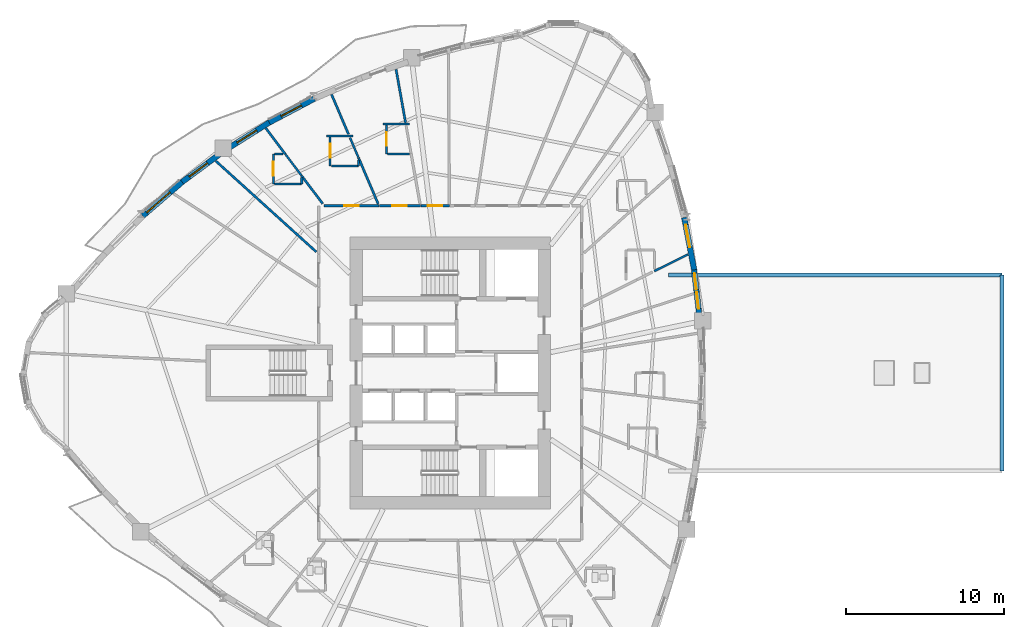
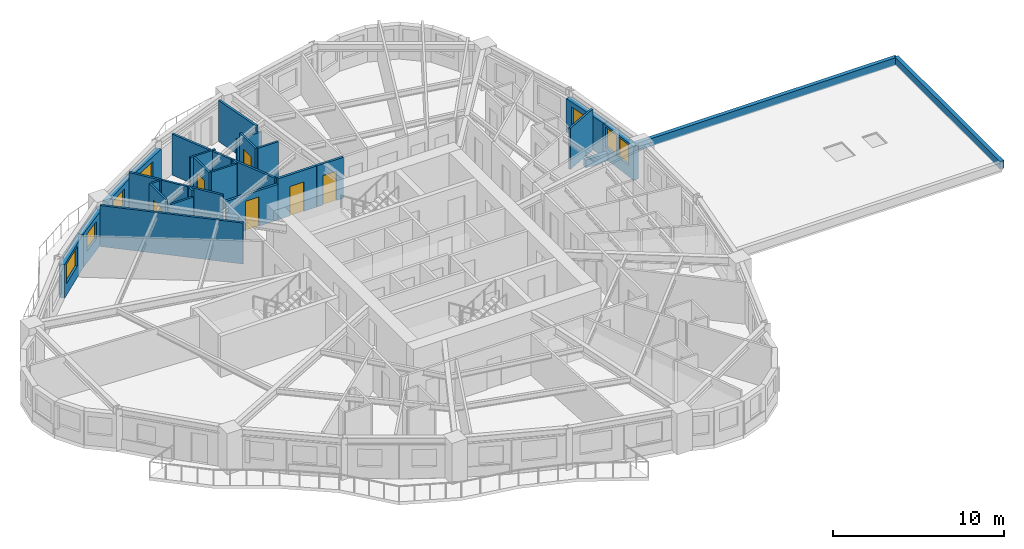
# One storey, part 8 of 15: 31 walls, 7 windows, 6 doors, 13 openings.
"""IFC4 building model written with IfcOpenShell, lengths in metres."""

from ifc_helpers import new_model, si_unit, direction, frame, frame_2d, origin, place, context, subcontext, project, spatial, rectangle, extrude, source, transform, mapped, material, layer, layer_set, type_object, element, fill, save


model = new_model("IFC4")

# Units and contexts
model_context = context("Model", 3, precision=1e-05, world=origin(), true_north=direction((0.0, 1.0)))
body_context = subcontext(model_context, "Body", "Model", "MODEL_VIEW")
ifc_project = project(units=[si_unit("LENGTHUNIT", "METRE"), si_unit("AREAUNIT", "SQUARE_METRE"), si_unit("VOLUMEUNIT", "CUBIC_METRE"), si_unit("PLANEANGLEUNIT", "RADIAN"), si_unit("MASSUNIT", "GRAM", prefix="KILO")], contexts=[model_context])

# Site, building, storey
site_placement = place(None, origin())
site = spatial("IfcSite", under=ifc_project, at=site_placement, CompositionType="ELEMENT")
building_placement = place(site_placement, origin())
building = spatial("IfcBuilding", under=site, at=building_placement, Name="Qafzar Sky-Pleat Residences", CompositionType="ELEMENT")
storey_placement = place(building_placement, frame((0.0, 0.0, 36.60009765625)))
storey = spatial("IfcBuildingStorey", under=building, at=storey_placement, Name="L10", CompositionType="ELEMENT", Elevation=36.60009765625)

# Wall, opening, door
ifc_material_1 = material(Name="Acoustic gypsum plasterboard partition", Category="gypsum")
ifc_layer_1 = layer(ifc_material_1, 0.159912109375)
ifc_layer_set_1 = layer_set([ifc_layer_1], Name="Acoustic gypsum plasterboard partition")
wall_type_1 = type_object("IfcWallType", Name="PART-COR-160", PredefinedType="PARTITIONING", material=ifc_layer_set_1)
wall_1_placement = place(storey_placement, frame((22.361083984375, 36.580078125, 0.0), z_axis=(0.0, 0.0, 1.0), x_axis=(1.0, 0.0, 0.0)))
wall_1 = element("IfcWall", 1, at=wall_1_placement, inside=storey, type_object=wall_type_1, Name="L10 Partition Wall PART-L10-PW-005", PredefinedType="PARTITIONING", context=body_context, shape_type="SweptSolid", body=[
    extrude(rectangle(XDim=3.497802734375, YDim=0.159912109375, at=frame_2d((1.7490234375, 0.0))), origin(), (0.0, 0.0, 1.0), 2.5478515625),
])
opening_1_placement = place(wall_1_placement, frame((1.29052734375, 0.0, 0.0)))
opening_1 = element("IfcOpeningElement", 2, at=opening_1_placement, cuts=wall_1, Name="Opening ID-04", PredefinedType="OPENING", context=body_context, shape_type="SweptSolid", body=[
    extrude(rectangle(XDim=0.919921875, YDim=2.10009765625, at=frame_2d((0.4599609375, 1.050048828125))), frame((0.0, 0.08984375, 0.0), z_axis=(0.0, -1.0, 0.0), x_axis=(1.0, 0.0, 0.0)), (0.0, 0.0, 1.0), 0.179931640625),
])
ifc_material_2 = material(Name="Timber-faced fire door", Category="wood")
door_type_1 = type_object("IfcDoorType", Name="DR-BED-920", OperationType="NOTDEFINED", PredefinedType="DOOR", material=ifc_material_2)
shared_shape_1 = source(origin(), body_context, "Body", "SweptSolid", [
    extrude(rectangle(XDim=0.919921875, YDim=2.10009765625, at=frame_2d((0.4599609375, 1.050048828125))), frame((0.0, 0.02490234375, 0.0), z_axis=(0.0, -1.0, 0.0), x_axis=(1.0, 0.0, 0.0)), (0.0, 0.0, 1.0), 0.050048828125),
])
door_1_placement = place(opening_1_placement, origin())
door_1 = element("IfcDoor", 3, at=door_1_placement, inside=storey, type_object=door_type_1, Name="L10 Co-Living Bedroom 13 Door", OperationType="SINGLE_SWING_LEFT", OverallHeight=2.10009765625, OverallWidth=0.919921875, PredefinedType="DOOR", context=body_context, shape_type="MappedRepresentation", body=[
    mapped(shared_shape_1, transform((0.0, 0.0, 0.0), x_axis=(1.0, 0.0, 0.0), y_axis=(0.0, 1.0, 0.0), z_axis=(0.0, 0.0, 1.0), scale=1.0)),
])
fill(opening_1, door_1)

wall_2_placement = place(storey_placement, frame((25.8740234375, 36.580078125, 0.0), z_axis=(0.0, 0.0, 1.0), x_axis=(1.0, 0.0, 0.0)))
wall_2 = element("IfcWall", 4, at=wall_2_placement, inside=storey, type_object=wall_type_1, Name="L10 Partition Wall PART-L10-PW-015", PredefinedType="PARTITIONING", context=body_context, shape_type="SweptSolid", body=[
    extrude(rectangle(XDim=2.60400390625, YDim=0.159912109375, at=frame_2d((1.302001953125, 0.0))), origin(), (0.0, 0.0, 1.0), 2.93994140625),
])
opening_2_placement = place(wall_2_placement, frame((0.819091796875, 0.0, 0.0)))
opening_2 = element("IfcOpeningElement", 5, at=opening_2_placement, cuts=wall_2, Name="Opening ID-04", PredefinedType="OPENING", context=body_context, shape_type="SweptSolid", body=[
    extrude(rectangle(XDim=0.919921875, YDim=2.10009765625, at=frame_2d((0.4599609375, 1.050048828125))), frame((0.0, 0.08984375, 0.0), z_axis=(0.0, -1.0, 0.0), x_axis=(1.0, 0.0, 0.0)), (0.0, 0.0, 1.0), 0.179931640625),
])
door_2_placement = place(opening_2_placement, origin())
door_2 = element("IfcDoor", 6, at=door_2_placement, inside=storey, type_object=door_type_1, Name="L10 Co-Living Bedroom 14 Door", OperationType="SINGLE_SWING_LEFT", OverallHeight=2.10009765625, OverallWidth=0.919921875, PredefinedType="DOOR", context=body_context, shape_type="MappedRepresentation", body=[
    mapped(shared_shape_1, transform((0.0, 0.0, 0.0), x_axis=(1.0, 0.0, 0.0), y_axis=(0.0, 1.0, 0.0), z_axis=(0.0, 0.0, 1.0), scale=1.0)),
])
fill(opening_2, door_2)

wall_3_placement = place(storey_placement, frame((28.492919921875, 36.580078125, 0.0), z_axis=(0.0, 0.0, 1.0), x_axis=(1.0, 0.0, 0.0)))
wall_3 = element("IfcWall", 7, at=wall_3_placement, inside=storey, type_object=wall_type_1, Name="L10 Partition Wall PART-L10-PW-030", PredefinedType="PARTITIONING", context=body_context, shape_type="SweptSolid", body=[
    extrude(rectangle(XDim=1.816162109375, YDim=0.159912109375, at=frame_2d((0.908203125, 0.0))), origin(), (0.0, 0.0, 1.0), 2.93994140625),
])
opening_3_placement = place(wall_3_placement, frame((0.425537109375, 0.0, 0.0)))
opening_3 = element("IfcOpeningElement", 8, at=opening_3_placement, cuts=wall_3, Name="Opening ID-04", PredefinedType="OPENING", context=body_context, shape_type="SweptSolid", body=[
    extrude(rectangle(XDim=0.919921875, YDim=2.10009765625, at=frame_2d((0.4599609375, 1.050048828125))), frame((0.0, 0.08984375, 0.0), z_axis=(0.0, -1.0, 0.0), x_axis=(1.0, 0.0, 0.0)), (0.0, 0.0, 1.0), 0.179931640625),
])
door_3_placement = place(opening_3_placement, origin())
door_3 = element("IfcDoor", 9, at=door_3_placement, inside=storey, type_object=door_type_1, Name="L10 Co-Living Bedroom 11 Door", OperationType="SINGLE_SWING_RIGHT", OverallHeight=2.10009765625, OverallWidth=0.919921875, PredefinedType="DOOR", context=body_context, shape_type="MappedRepresentation", body=[
    mapped(shared_shape_1, transform((0.0, 0.0, 0.0), x_axis=(1.0, 0.0, 0.0), y_axis=(0.0, 1.0, 0.0), z_axis=(0.0, 0.0, 1.0), scale=1.0)),
])
fill(opening_3, door_3)

# Walls
ifc_layer_2 = layer(ifc_material_1, 0.14501953125)
ifc_layer_set_2 = layer_set([ifc_layer_2], Name="Acoustic gypsum plasterboard partition")
wall_type_2 = type_object("IfcWallType", Name="PART-UNIT-145", PredefinedType="PARTITIONING", material=ifc_layer_set_2)
wall_4_placement = place(storey_placement, frame((15.516357421875, 39.412841796875, 0.0), z_axis=(0.0, 0.0, 1.0), x_axis=(0.741796419009, -0.670625135784, 0.0)))
element("IfcWall", 10, at=wall_4_placement, inside=storey, type_object=wall_type_2, Name="L10 Partition Wall PART-L10-PW-043", PredefinedType="PARTITIONING", context=body_context, shape_type="SweptSolid", body=[
    extrude(rectangle(XDim=8.586181640625, YDim=0.14501953125, at=frame_2d((4.29296875, 0.0))), origin(), (0.0, 0.0, 1.0), 2.93994140625),
])
wall_5_placement = place(storey_placement, frame((26.923095703125, 45.212890625, 0.0), z_axis=(0.0, 0.0, 1.0), x_axis=(0.175687492323, -0.98444598889, 0.0)))
element("IfcWall", 11, at=wall_5_placement, inside=storey, type_object=wall_type_2, Name="L10 Partition Wall PART-L10-PW-055", PredefinedType="PARTITIONING", context=body_context, shape_type="SweptSolid", body=[
    extrude(rectangle(XDim=3.440673828125, YDim=0.14501953125, at=frame_2d((1.72021484375, 0.0))), origin(), (0.0, 0.0, 1.0), 2.93994140625),
])
wall_6_placement = place(storey_placement, frame((24.552001953125, 39.610107421875, 0.0), z_axis=(0.0, 0.0, 1.0), x_axis=(0.391974411108, -0.919976119819, 0.0)))
element("IfcWall", 12, at=wall_6_placement, inside=storey, type_object=wall_type_2, Name="L10 Partition Wall PART-L10-PW-059", PredefinedType="PARTITIONING", context=body_context, shape_type="SweptSolid", body=[
    extrude(rectangle(XDim=3.167724609375, YDim=0.14501953125, at=frame_2d((1.583984375, 0.0))), origin(), (0.0, 0.0, 1.0), 2.93994140625),
])
wall_7_placement = place(storey_placement, frame((22.84130859375, 43.6259765625, 0.0), z_axis=(0.0, 0.0, 1.0), x_axis=(0.392030625658, -0.919952166445, 0.0)))
element("IfcWall", 13, at=wall_7_placement, inside=storey, type_object=wall_type_2, Name="L10 Partition Wall PART-L10-PW-062", PredefinedType="PARTITIONING", context=body_context, shape_type="SweptSolid", body=[
    extrude(rectangle(XDim=2.7470703125, YDim=0.14501953125, at=frame_2d((1.37353515625, 0.0))), origin(), (0.0, 0.0, 1.0), 2.93994140625),
])
wall_8_placement = place(storey_placement, frame((20.94091796875, 38.489990234375, 0.0), z_axis=(0.0, 0.0, 1.0), x_axis=(0.601733790382, -0.798696716853, 0.0)))
element("IfcWall", 14, at=wall_8_placement, inside=storey, type_object=wall_type_2, Name="L10 Partition Wall PART-L10-PW-066", PredefinedType="PARTITIONING", context=body_context, shape_type="SweptSolid", body=[
    extrude(rectangle(XDim=2.228759765625, YDim=0.14501953125, at=frame_2d((1.1142578125, 0.0))), origin(), (0.0, 0.0, 1.0), 2.93994140625),
])
wall_9_placement = place(storey_placement, frame((18.681396484375, 41.48876953125, 0.0), z_axis=(0.0, 0.0, 1.0), x_axis=(0.601842551228, -0.79861476541, 0.0)))
element("IfcWall", 15, at=wall_9_placement, inside=storey, type_object=wall_type_2, Name="L10 Partition Wall PART-L10-PW-068", PredefinedType="PARTITIONING", context=body_context, shape_type="SweptSolid", body=[
    extrude(rectangle(XDim=2.0546875, YDim=0.14501953125, at=frame_2d((1.02734375, 0.0))), origin(), (0.0, 0.0, 1.0), 2.93994140625),
])

# Wall, opening, door
ifc_material_3 = material(Name="Moisture-resistant gypsum partition", Category="gypsum")
ifc_layer_3 = layer(ifc_material_3, 0.1298828125)
ifc_layer_set_3 = layer_set([ifc_layer_3], Name="Moisture-resistant gypsum partition")
wall_type_3 = type_object("IfcWallType", Name="PART-WET-130", PredefinedType="PARTITIONING", material=ifc_layer_set_3)
wall_10_placement = place(storey_placement, frame((26.324951171875, 41.681884765625, 0.0), z_axis=(0.0, 0.0, 1.0), x_axis=(0.0, -1.0, 0.0)))
wall_10 = element("IfcWall", 16, at=wall_10_placement, inside=storey, type_object=wall_type_3, Name="L10 Partition Wall PART-L10-PW-019", PredefinedType="PARTITIONING", context=body_context, shape_type="SweptSolid", body=[
    extrude(rectangle(XDim=1.826904296875, YDim=0.1298828125, at=frame_2d((0.91357421875, 0.0))), origin(), (0.0, 0.0, 1.0), 2.93994140625),
])
opening_4_placement = place(wall_10_placement, frame((0.43701171875, 0.0, 0.0)))
opening_4 = element("IfcOpeningElement", 17, at=opening_4_placement, cuts=wall_10, Name="Opening ID-07", PredefinedType="OPENING", context=body_context, shape_type="SweptSolid", body=[
    extrude(rectangle(XDim=0.8798828125, YDim=2.050048828125, at=frame_2d((0.43994140625, 1.02490234375))), frame((0.0, 0.074951171875, 0.0), z_axis=(0.0, -1.0, 0.0), x_axis=(1.0, 0.0, 0.0)), (0.0, 0.0, 1.0), 0.14990234375),
])
door_type_2 = type_object("IfcDoorType", Name="DR-WET-880", OperationType="NOTDEFINED", PredefinedType="DOOR", material=ifc_material_2)
shared_shape_2 = source(origin(), body_context, "Body", "SweptSolid", [
    extrude(rectangle(XDim=0.8798828125, YDim=2.050048828125, at=frame_2d((0.43994140625, 1.02490234375))), frame((0.0, 0.02490234375, 0.0), z_axis=(0.0, -1.0, 0.0), x_axis=(1.0, 0.0, 0.0)), (0.0, 0.0, 1.0), 0.050048828125),
])
door_4_placement = place(opening_4_placement, origin())
door_4 = element("IfcDoor", 18, at=door_4_placement, inside=storey, type_object=door_type_2, Name="L10 En-suite Bathroom 14 Door", OperationType="SINGLE_SWING_LEFT", OverallHeight=2.050048828125, OverallWidth=0.8798828125, PredefinedType="DOOR", context=body_context, shape_type="MappedRepresentation", body=[
    mapped(shared_shape_2, transform((0.0, 0.0, 0.0), x_axis=(1.0, 0.0, 0.0), y_axis=(0.0, 1.0, 0.0), z_axis=(0.0, 0.0, 1.0), scale=1.0)),
])
fill(opening_4, door_4)

wall_11_placement = place(storey_placement, frame((22.751953125, 40.925048828125, 0.0), z_axis=(0.0, 0.0, 1.0), x_axis=(0.0, -1.0, 0.0)))
wall_11 = element("IfcWall", 19, at=wall_11_placement, inside=storey, type_object=wall_type_3, Name="L10 Partition Wall PART-L10-PW-026", PredefinedType="PARTITIONING", context=body_context, shape_type="SweptSolid", body=[
    extrude(rectangle(XDim=1.8271484375, YDim=0.1298828125, at=frame_2d((0.91357421875, 0.0))), origin(), (0.0, 0.0, 1.0), 2.93994140625),
])
opening_5_placement = place(wall_11_placement, frame((0.43701171875, 0.0, 0.0)))
opening_5 = element("IfcOpeningElement", 20, at=opening_5_placement, cuts=wall_11, Name="Opening ID-07", PredefinedType="OPENING", context=body_context, shape_type="SweptSolid", body=[
    extrude(rectangle(XDim=0.8798828125, YDim=2.050048828125, at=frame_2d((0.43994140625, 1.02490234375))), frame((0.0, 0.074951171875, 0.0), z_axis=(0.0, -1.0, 0.0), x_axis=(1.0, 0.0, 0.0)), (0.0, 0.0, 1.0), 0.14990234375),
])
door_5_placement = place(opening_5_placement, origin())
door_5 = element("IfcDoor", 21, at=door_5_placement, inside=storey, type_object=door_type_2, Name="L10 En-suite Bathroom 13 Door", OperationType="SINGLE_SWING_RIGHT", OverallHeight=2.050048828125, OverallWidth=0.8798828125, PredefinedType="DOOR", context=body_context, shape_type="MappedRepresentation", body=[
    mapped(shared_shape_2, transform((0.0, 0.0, 0.0), x_axis=(1.0, 0.0, 0.0), y_axis=(0.0, 1.0, 0.0), z_axis=(0.0, 0.0, 1.0), scale=1.0)),
])
fill(opening_5, door_5)

wall_12_placement = place(storey_placement, frame((19.156005859375, 39.863037109375, 0.0), z_axis=(0.0, 0.0, 1.0), x_axis=(0.0, -1.0, 0.0)))
wall_12 = element("IfcWall", 22, at=wall_12_placement, inside=storey, type_object=wall_type_3, Name="L10 Partition Wall PART-L10-PW-027", PredefinedType="PARTITIONING", context=body_context, shape_type="SweptSolid", body=[
    extrude(rectangle(XDim=1.900146484375, YDim=0.1298828125, at=frame_2d((0.9501953125, 0.0))), origin(), (0.0, 0.0, 1.0), 2.93994140625),
])
opening_6_placement = place(wall_12_placement, frame((0.510009765625, 0.0, 0.0)))
opening_6 = element("IfcOpeningElement", 23, at=opening_6_placement, cuts=wall_12, Name="Opening ID-07", PredefinedType="OPENING", context=body_context, shape_type="SweptSolid", body=[
    extrude(rectangle(XDim=0.8798828125, YDim=2.050048828125, at=frame_2d((0.43994140625, 1.02490234375))), frame((0.0, 0.074951171875, 0.0), z_axis=(0.0, -1.0, 0.0), x_axis=(1.0, 0.0, 0.0)), (0.0, 0.0, 1.0), 0.14990234375),
])
door_6_placement = place(opening_6_placement, origin())
door_6 = element("IfcDoor", 24, at=door_6_placement, inside=storey, type_object=door_type_2, Name="L10 En-suite Bathroom 16 Door", OperationType="SINGLE_SWING_LEFT", OverallHeight=2.050048828125, OverallWidth=0.8798828125, PredefinedType="DOOR", context=body_context, shape_type="MappedRepresentation", body=[
    mapped(shared_shape_2, transform((0.0, 0.0, 0.0), x_axis=(1.0, 0.0, 0.0), y_axis=(0.0, 1.0, 0.0), z_axis=(0.0, 0.0, 1.0), scale=1.0)),
])
fill(opening_6, door_6)

# Walls
wall_13_placement = place(storey_placement, frame((43.26708984375, 32.447998046875, 0.0), z_axis=(0.0, 0.0, 1.0), x_axis=(0.894755827923, 0.446555717014, 0.0)))
element("IfcWall", 25, at=wall_13_placement, inside=storey, type_object=wall_type_3, Name="L10 Partition Wall PART-L10-PW-064", PredefinedType="PARTITIONING", context=body_context, shape_type="SweptSolid", body=[
    extrude(rectangle(XDim=2.37548828125, YDim=0.1298828125, at=frame_2d((1.187744140625, 0.0))), origin(), (0.0, 0.0, 1.0), 2.93994140625),
])
wall_14_placement = place(storey_placement, frame((22.824951171875, 39.097900390625, 0.0), z_axis=(0.0, 0.0, 1.0), x_axis=(1.0, 0.0, 0.0)))
element("IfcWall", 26, at=wall_14_placement, inside=storey, type_object=wall_type_3, Name="L10 Partition Wall PART-L10-PW-079", PredefinedType="PARTITIONING", context=body_context, shape_type="SweptSolid", body=[
    extrude(rectangle(XDim=1.72705078125, YDim=0.1298828125, at=frame_2d((0.863525390625, 0.0))), origin(), (0.0, 0.0, 1.0), 2.93994140625),
])
wall_15_placement = place(storey_placement, frame((19.22900390625, 37.962890625, 0.0), z_axis=(0.0, 0.0, 1.0), x_axis=(1.0, 0.0, 0.0)))
element("IfcWall", 27, at=wall_15_placement, inside=storey, type_object=wall_type_3, Name="L10 Partition Wall PART-L10-PW-080", PredefinedType="PARTITIONING", context=body_context, shape_type="SweptSolid", body=[
    extrude(rectangle(XDim=1.72705078125, YDim=0.1298828125, at=frame_2d((0.863525390625, 0.0))), origin(), (0.0, 0.0, 1.0), 2.5078125),
])
wall_16_placement = place(storey_placement, frame((19.9267578125, 39.835693359375, 0.0), z_axis=(0.0, 0.0, 1.0), x_axis=(0.601846185739, -0.798612026401, 0.0)))
element("IfcWall", 28, at=wall_16_placement, inside=storey, type_object=wall_type_3, Name="L10 Partition Wall PART-L10-PW-084", PredefinedType="PARTITIONING", context=body_context, shape_type="SweptSolid", body=[
    extrude(rectangle(XDim=1.670166015625, YDim=0.1298828125, at=frame_2d((0.8349609375, 0.0))), origin(), (0.0, 0.0, 1.0), 2.93994140625),
])
wall_17_placement = place(storey_placement, frame((26.39794921875, 39.85498046875, 0.0), z_axis=(0.0, 0.0, 1.0), x_axis=(1.0, 0.0, 0.0)))
element("IfcWall", 29, at=wall_17_placement, inside=storey, type_object=wall_type_3, Name="L10 Partition Wall PART-L10-PW-088", PredefinedType="PARTITIONING", context=body_context, shape_type="SweptSolid", body=[
    extrude(rectangle(XDim=1.387939453125, YDim=0.1298828125, at=frame_2d((0.69384765625, 0.0))), origin(), (0.0, 0.0, 1.0), 2.93994140625),
])
wall_18_placement = place(storey_placement, frame((24.008544921875, 40.886474609375, 0.0), z_axis=(0.0, 0.0, 1.0), x_axis=(0.39172821254, -0.920080978773, 0.0)))
element("IfcWall", 30, at=wall_18_placement, inside=storey, type_object=wall_type_3, Name="L10 Partition Wall PART-L10-PW-089", PredefinedType="PARTITIONING", context=body_context, shape_type="SweptSolid", body=[
    extrude(rectangle(XDim=1.372314453125, YDim=0.1298828125, at=frame_2d((0.68603515625, 0.0))), origin(), (0.0, 0.0, 1.0), 2.93994140625),
])
wall_19_placement = place(storey_placement, frame((26.0849609375, 41.7548828125, 0.0), z_axis=(0.0, 0.0, 1.0), x_axis=(1.0, 0.0, 0.0)))
element("IfcWall", 31, at=wall_19_placement, inside=storey, type_object=wall_type_3, Name="L10 Partition Wall PART-L10-PW-095", PredefinedType="PARTITIONING", context=body_context, shape_type="SweptSolid", body=[
    extrude(rectangle(XDim=1.695068359375, YDim=0.1298828125, at=frame_2d((0.84765625, 0.0))), origin(), (0.0, 0.0, 1.0), 2.5078125),
])
wall_20_placement = place(storey_placement, frame((22.511962890625, 40.998046875, 0.0), z_axis=(0.0, 0.0, 1.0), x_axis=(1.0, 0.0, 0.0)))
element("IfcWall", 32, at=wall_20_placement, inside=storey, type_object=wall_type_3, Name="L10 Partition Wall PART-L10-PW-097", PredefinedType="PARTITIONING", context=body_context, shape_type="SweptSolid", body=[
    extrude(rectangle(XDim=1.68896484375, YDim=0.1298828125, at=frame_2d((0.844482421875, 0.0))), origin(), (0.0, 0.0, 1.0), 2.93994140625),
])
wall_21_placement = place(storey_placement, frame((19.22900390625, 39.863037109375, 0.0), z_axis=(0.0, 0.0, 1.0), x_axis=(1.0, 0.0, 0.0)))
element("IfcWall", 33, at=wall_21_placement, inside=storey, type_object=wall_type_3, Name="L10 Partition Wall PART-L10-PW-108", PredefinedType="PARTITIONING", context=body_context, shape_type="SweptSolid", body=[
    extrude(rectangle(XDim=0.5302734375, YDim=0.1298828125, at=frame_2d((0.26513671875, 0.0))), origin(), (0.0, 0.0, 1.0), 2.93994140625),
])
wall_22_placement = place(storey_placement, frame((24.552001953125, 39.097900390625, 0.0), z_axis=(0.0, 0.0, 1.0), x_axis=(0.0, 1.0, 0.0)))
element("IfcWall", 34, at=wall_22_placement, inside=storey, type_object=wall_type_3, Name="L10 Partition Wall PART-L10-PW-110", PredefinedType="PARTITIONING", context=body_context, shape_type="SweptSolid", body=[
    extrude(rectangle(XDim=0.377197265625, YDim=0.1298828125, at=frame_2d((0.1884765625, 0.0))), origin(), (0.0, 0.0, 1.0), 2.93994140625),
])
wall_23_placement = place(storey_placement, frame((20.9560546875, 37.962890625, 0.0), z_axis=(0.0, 0.0, 1.0), x_axis=(0.0, 1.0, 0.0)))
element("IfcWall", 35, at=wall_23_placement, inside=storey, type_object=wall_type_3, Name="L10 Partition Wall PART-L10-PW-111", PredefinedType="PARTITIONING", context=body_context, shape_type="SweptSolid", body=[
    extrude(rectangle(XDim=0.4169921875, YDim=0.1298828125, at=frame_2d((0.20849609375, 0.0))), origin(), (0.0, 0.0, 1.0), 2.93994140625),
])
ifc_material_4 = material(Name="Precast concrete C40/50 with honed Riyadh limestone", Category="concrete")
ifc_layer_4 = layer(ifc_material_4, 0.260009765625)
ifc_layer_set_4 = layer_set([ifc_layer_4], Name="Precast concrete C40/50 with honed Riyadh limestone")
wall_type_4 = type_object("IfcWallType", Name="WALL-EXT-260", PredefinedType="PARAPET", material=ifc_layer_set_4)
wall_24_placement = place(storey_placement, frame((65.25439453125, 19.800048828125, 0.0), z_axis=(0.0, 0.0, 1.0), x_axis=(0.0, 1.0, 0.0)))
element("IfcWall", 36, at=wall_24_placement, inside=storey, type_object=wall_type_4, Name="L10 SB-1 Roof Parapet 2", PredefinedType="PARAPET", context=body_context, shape_type="SweptSolid", body=[
    extrude(rectangle(XDim=12.39990234375, YDim=0.260009765625, at=frame_2d((6.199951171875, 0.0))), origin(), (0.0, 0.0, 1.0), 0.5498046875),
])
wall_25_placement = place(storey_placement, frame((65.25439453125, 32.199951171875, 0.0), z_axis=(0.0, 0.0, 1.0), x_axis=(-1.0, 0.0, 0.0)))
element("IfcWall", 37, at=wall_25_placement, inside=storey, type_object=wall_type_4, Name="L10 SB-1 Roof Parapet 3", PredefinedType="PARAPET", context=body_context, shape_type="SweptSolid", body=[
    extrude(rectangle(XDim=21.1044921875, YDim=0.260009765625, at=frame_2d((10.55224609375, 0.0))), origin(), (0.0, 0.0, 1.0), 0.5498046875),
])

# Wall, openings, windows
ifc_layer_5 = layer(ifc_material_4, 0.35009765625)
ifc_layer_set_5 = layer_set([ifc_layer_5], Name="Precast concrete C40/50 with honed Riyadh limestone")
wall_type_5 = type_object("IfcWallType", Name="WALL-EXT-350", PredefinedType="SOLIDWALL", material=ifc_layer_set_5)
wall_26_placement = place(storey_placement, frame((46.116455078125, 29.5751953125, 0.0), z_axis=(0.0, 0.0, 1.0), x_axis=(-0.113271733229, 0.993564046477, 0.0)))
wall_26 = element("IfcWall", 38, at=wall_26_placement, inside=storey, type_object=wall_type_5, Name="L10 Limestone Facade Wall 29", PredefinedType="SOLIDWALL", context=body_context, shape_type="SweptSolid", body=[
    extrude(rectangle(XDim=3.056396484375, YDim=0.35009765625, at=frame_2d((1.5283203125, 0.0))), origin(), (0.0, 0.0, 1.0), 2.419921875),
])
opening_7_placement = place(wall_26_placement, frame((0.492431640625, 0.0, 0.820068359375)))
opening_7 = element("IfcOpeningElement", 39, at=opening_7_placement, cuts=wall_26, Name="Opening WN-06", PredefinedType="OPENING", context=body_context, shape_type="SweptSolid", body=[
    extrude(rectangle(XDim=1.050048828125, YDim=1.449951171875, at=frame_2d((0.52490234375, 0.72509765625))), frame((0.0, 0.18505859375, 0.0), z_axis=(0.0, -1.0, 0.0), x_axis=(1.0, 0.0, 0.0)), (0.0, 0.0, 1.0), 0.3701171875),
])
opening_8_placement = place(wall_26_placement, frame((1.70556640625, 0.0, 0.820068359375)))
opening_8 = element("IfcOpeningElement", 40, at=opening_8_placement, cuts=wall_26, Name="Opening WN-06", PredefinedType="OPENING", context=body_context, shape_type="SweptSolid", body=[
    extrude(rectangle(XDim=1.050048828125, YDim=1.449951171875, at=frame_2d((0.52490234375, 0.72509765625))), frame((0.0, 0.18505859375, 0.0), z_axis=(0.0, -1.0, 0.0), x_axis=(1.0, 0.0, 0.0)), (0.0, 0.0, 1.0), 0.3701171875),
])
ifc_material_5 = material(Name="Solar-control low-E glass in bronze aluminium frame", Category="glass")
window_type_1 = type_object("IfcWindowType", Name="WIN-06", PartitioningType="SINGLE_PANEL", PredefinedType="WINDOW", material=ifc_material_5)
shared_shape_3 = source(origin(), body_context, "Body", "SweptSolid", [
    extrude(rectangle(XDim=1.050048828125, YDim=1.449951171875, at=frame_2d((0.52490234375, 0.72509765625))), frame((0.0, 0.030029296875, 0.0), z_axis=(0.0, -1.0, 0.0), x_axis=(1.0, 0.0, 0.0)), (0.0, 0.0, 1.0), 0.06005859375),
])
window_1_placement = place(opening_7_placement, origin())
window_1 = element("IfcWindow", 41, at=window_1_placement, inside=storey, type_object=window_type_1, Name="L10 Punched Facade Window 29", OverallHeight=1.449951171875, OverallWidth=1.050048828125, PartitioningType="SINGLE_PANEL", PredefinedType="WINDOW", context=body_context, shape_type="MappedRepresentation", body=[
    mapped(shared_shape_3, transform((0.0, 0.0, 0.0), x_axis=(1.0, 0.0, 0.0), y_axis=(0.0, 1.0, 0.0), z_axis=(0.0, 0.0, 1.0), scale=1.0)),
])
fill(opening_7, window_1)
window_2_placement = place(opening_8_placement, origin())
window_2 = element("IfcWindow", 42, at=window_2_placement, inside=storey, type_object=window_type_1, Name="L10 Punched Facade Window 29-2", OverallHeight=1.449951171875, OverallWidth=1.050048828125, PartitioningType="SINGLE_PANEL", PredefinedType="WINDOW", context=body_context, shape_type="MappedRepresentation", body=[
    mapped(shared_shape_3, transform((0.0, 0.0, 0.0), x_axis=(1.0, 0.0, 0.0), y_axis=(0.0, 1.0, 0.0), z_axis=(0.0, 0.0, 1.0), scale=1.0)),
])
fill(opening_8, window_2)

# Wall, opening, window
wall_27_placement = place(storey_placement, frame((45.78369140625, 32.52392578125, 0.0), z_axis=(0.0, 0.0, 1.0), x_axis=(-0.186686485801, 0.982419541754, 0.0)))
wall_27 = element("IfcWall", 43, at=wall_27_placement, inside=storey, type_object=wall_type_5, Name="L10 Limestone Facade Wall 30", PredefinedType="SOLIDWALL", context=body_context, shape_type="SweptSolid", body=[
    extrude(rectangle(XDim=3.3740234375, YDim=0.35009765625, at=frame_2d((1.68701171875, 0.0))), origin(), (0.0, 0.0, 1.0), 2.419921875),
])
opening_9_placement = place(wall_27_placement, frame((1.457275390625, 0.0, 0.820068359375)))
opening_9 = element("IfcOpeningElement", 44, at=opening_9_placement, cuts=wall_27, Name="Opening WN-15", PredefinedType="OPENING", context=body_context, shape_type="SweptSolid", body=[
    extrude(rectangle(XDim=1.449951171875, YDim=1.25, at=frame_2d((0.72509765625, 0.625))), frame((0.0, 0.18505859375, 0.0), z_axis=(0.0, -1.0, 0.0), x_axis=(1.0, 0.0, 0.0)), (0.0, 0.0, 1.0), 0.3701171875),
])
window_type_2 = type_object("IfcWindowType", Name="WIN-15", PartitioningType="SINGLE_PANEL", PredefinedType="WINDOW", material=ifc_material_5)
shared_shape_4 = source(origin(), body_context, "Body", "SweptSolid", [
    extrude(rectangle(XDim=1.449951171875, YDim=1.25, at=frame_2d((0.72509765625, 0.625))), frame((0.0, 0.030029296875, 0.0), z_axis=(0.0, -1.0, 0.0), x_axis=(1.0, 0.0, 0.0)), (0.0, 0.0, 1.0), 0.06005859375),
])
window_3_placement = place(opening_9_placement, origin())
window_3 = element("IfcWindow", 45, at=window_3_placement, inside=storey, type_object=window_type_2, Name="L10 Punched Facade Window 30-2", OverallHeight=1.25, OverallWidth=1.449951171875, PartitioningType="SINGLE_PANEL", PredefinedType="WINDOW", context=body_context, shape_type="MappedRepresentation", body=[
    mapped(shared_shape_4, transform((0.0, 0.0, 0.0), x_axis=(1.0, 0.0, 0.0), y_axis=(0.0, 1.0, 0.0), z_axis=(0.0, 0.0, 1.0), scale=1.0)),
])
fill(opening_9, window_3)

wall_28_placement = place(storey_placement, frame((21.757080078125, 43.353759765625, 0.0), z_axis=(0.0, 0.0, 1.0), x_axis=(-0.884394035355, -0.466741031224, 0.0)))
wall_28 = element("IfcWall", 46, at=wall_28_placement, inside=storey, type_object=wall_type_5, Name="L10 Limestone Facade Wall 43", PredefinedType="SOLIDWALL", context=body_context, shape_type="SweptSolid", body=[
    extrude(rectangle(XDim=3.3173828125, YDim=0.35009765625, at=frame_2d((1.65869140625, 0.0))), origin(), (0.0, 0.0, 1.0), 2.419921875),
])
opening_10_placement = place(wall_28_placement, frame((0.923583984375, 0.0, 0.820068359375)))
opening_10 = element("IfcOpeningElement", 47, at=opening_10_placement, cuts=wall_28, Name="Opening WN-15", PredefinedType="OPENING", context=body_context, shape_type="SweptSolid", body=[
    extrude(rectangle(XDim=1.449951171875, YDim=1.25, at=frame_2d((0.72509765625, 0.625))), frame((0.0, 0.18505859375, 0.0), z_axis=(0.0, -1.0, 0.0), x_axis=(1.0, 0.0, 0.0)), (0.0, 0.0, 1.0), 0.3701171875),
])
window_4_placement = place(opening_10_placement, origin())
window_4 = element("IfcWindow", 48, at=window_4_placement, inside=storey, type_object=window_type_2, Name="L10 Punched Facade Window 43", OverallHeight=1.25, OverallWidth=1.449951171875, PartitioningType="SINGLE_PANEL", PredefinedType="WINDOW", context=body_context, shape_type="MappedRepresentation", body=[
    mapped(shared_shape_4, transform((0.0, 0.0, 0.0), x_axis=(1.0, 0.0, 0.0), y_axis=(0.0, 1.0, 0.0), z_axis=(0.0, 0.0, 1.0), scale=1.0)),
])
fill(opening_10, window_4)

wall_29_placement = place(storey_placement, frame((18.900634765625, 41.849853515625, 0.0), z_axis=(0.0, 0.0, 1.0), x_axis=(-0.846436796602, -0.532489201167, 0.0)))
wall_29 = element("IfcWall", 49, at=wall_29_placement, inside=storey, type_object=wall_type_5, Name="L10 Limestone Facade Wall 44", PredefinedType="SOLIDWALL", context=body_context, shape_type="SweptSolid", body=[
    extrude(rectangle(XDim=3.03759765625, YDim=0.35009765625, at=frame_2d((1.518798828125, 0.0))), origin(), (0.0, 0.0, 1.0), 2.419921875),
])
opening_11_placement = place(wall_29_placement, frame((0.948486328125, 0.0, 0.820068359375)))
opening_11 = element("IfcOpeningElement", 50, at=opening_11_placement, cuts=wall_29, Name="Opening WN-15", PredefinedType="OPENING", context=body_context, shape_type="SweptSolid", body=[
    extrude(rectangle(XDim=1.449951171875, YDim=1.25, at=frame_2d((0.72509765625, 0.625))), frame((0.0, 0.18505859375, 0.0), z_axis=(0.0, -1.0, 0.0), x_axis=(1.0, 0.0, 0.0)), (0.0, 0.0, 1.0), 0.3701171875),
])
window_5_placement = place(opening_11_placement, origin())
window_5 = element("IfcWindow", 51, at=window_5_placement, inside=storey, type_object=window_type_2, Name="L10 Punched Facade Window 44", OverallHeight=1.25, OverallWidth=1.449951171875, PartitioningType="SINGLE_PANEL", PredefinedType="WINDOW", context=body_context, shape_type="MappedRepresentation", body=[
    mapped(shared_shape_4, transform((0.0, 0.0, 0.0), x_axis=(1.0, 0.0, 0.0), y_axis=(0.0, 1.0, 0.0), z_axis=(0.0, 0.0, 1.0), scale=1.0)),
])
fill(opening_11, window_5)

wall_30_placement = place(storey_placement, frame((15.845703125, 39.90185546875, 0.0), z_axis=(0.0, 0.0, 1.0), x_axis=(-0.803789189233, -0.594914228501, 0.0)))
wall_30 = element("IfcWall", 52, at=wall_30_placement, inside=storey, type_object=wall_type_5, Name="L10 Limestone Facade Wall 45", PredefinedType="SOLIDWALL", context=body_context, shape_type="SweptSolid", body=[
    extrude(rectangle(XDim=3.056396484375, YDim=0.35009765625, at=frame_2d((1.5283203125, 0.0))), origin(), (0.0, 0.0, 1.0), 2.419921875),
])
opening_12_placement = place(wall_30_placement, frame((1.044189453125, 0.0, 0.820068359375)))
opening_12 = element("IfcOpeningElement", 53, at=opening_12_placement, cuts=wall_30, Name="Opening WN-15", PredefinedType="OPENING", context=body_context, shape_type="SweptSolid", body=[
    extrude(rectangle(XDim=1.449951171875, YDim=1.25, at=frame_2d((0.72509765625, 0.625))), frame((0.0, 0.18505859375, 0.0), z_axis=(0.0, -1.0, 0.0), x_axis=(1.0, 0.0, 0.0)), (0.0, 0.0, 1.0), 0.3701171875),
])
window_6_placement = place(opening_12_placement, origin())
window_6 = element("IfcWindow", 54, at=window_6_placement, inside=storey, type_object=window_type_2, Name="L10 Punched Facade Window 45-2", OverallHeight=1.25, OverallWidth=1.449951171875, PartitioningType="SINGLE_PANEL", PredefinedType="WINDOW", context=body_context, shape_type="MappedRepresentation", body=[
    mapped(shared_shape_4, transform((0.0, 0.0, 0.0), x_axis=(1.0, 0.0, 0.0), y_axis=(0.0, 1.0, 0.0), z_axis=(0.0, 0.0, 1.0), scale=1.0)),
])
fill(opening_12, window_6)

wall_31_placement = place(storey_placement, frame((13.458251953125, 38.13916015625, 0.0), z_axis=(0.0, 0.0, 1.0), x_axis=(-0.757450680395, -0.652892385289, 0.0)))
wall_31 = element("IfcWall", 55, at=wall_31_placement, inside=storey, type_object=wall_type_5, Name="L10 Limestone Facade Wall 46", PredefinedType="SOLIDWALL", context=body_context, shape_type="SweptSolid", body=[
    extrude(rectangle(XDim=3.3740234375, YDim=0.35009765625, at=frame_2d((1.68701171875, 0.0))), origin(), (0.0, 0.0, 1.0), 2.419921875),
])
opening_13_placement = place(wall_31_placement, frame((1.0966796875, 0.0, 0.820068359375)))
opening_13 = element("IfcOpeningElement", 56, at=opening_13_placement, cuts=wall_31, Name="Opening WN-08", PredefinedType="OPENING", context=body_context, shape_type="SweptSolid", body=[
    extrude(rectangle(XDim=1.949951171875, YDim=1.39990234375, at=frame_2d((0.97509765625, 0.699951171875))), frame((0.0, 0.18505859375, 0.0), z_axis=(0.0, -1.0, 0.0), x_axis=(1.0, 0.0, 0.0)), (0.0, 0.0, 1.0), 0.3701171875),
])
window_type_3 = type_object("IfcWindowType", Name="WIN-08", PartitioningType="DOUBLE_PANEL_VERTICAL", PredefinedType="WINDOW", material=ifc_material_5)
shared_shape_5 = source(origin(), body_context, "Body", "SweptSolid", [
    extrude(rectangle(XDim=1.949951171875, YDim=1.39990234375, at=frame_2d((0.97509765625, 0.699951171875))), frame((0.0, 0.030029296875, 0.0), z_axis=(0.0, -1.0, 0.0), x_axis=(1.0, 0.0, 0.0)), (0.0, 0.0, 1.0), 0.06005859375),
])
window_7_placement = place(opening_13_placement, origin())
window_7 = element("IfcWindow", 57, at=window_7_placement, inside=storey, type_object=window_type_3, Name="L10 Punched Facade Window 46-2", OverallHeight=1.39990234375, OverallWidth=1.949951171875, PartitioningType="SINGLE_PANEL", PredefinedType="WINDOW", context=body_context, shape_type="MappedRepresentation", body=[
    mapped(shared_shape_5, transform((0.0, 0.0, 0.0), x_axis=(1.0, 0.0, 0.0), y_axis=(0.0, 1.0, 0.0), z_axis=(0.0, 0.0, 1.0), scale=1.0)),
])
fill(opening_13, window_7)

save(model, "model.ifc")
